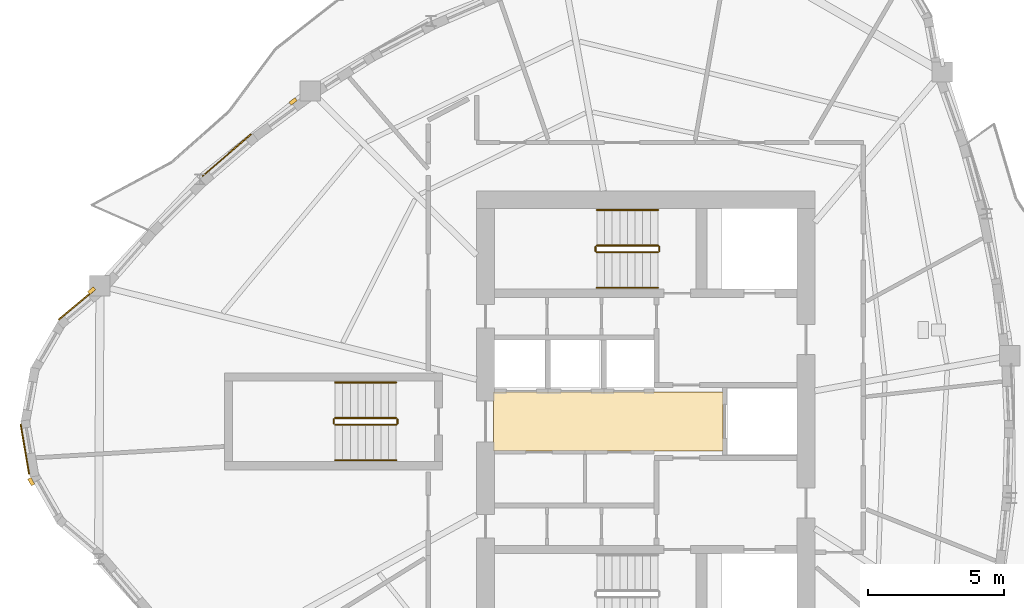
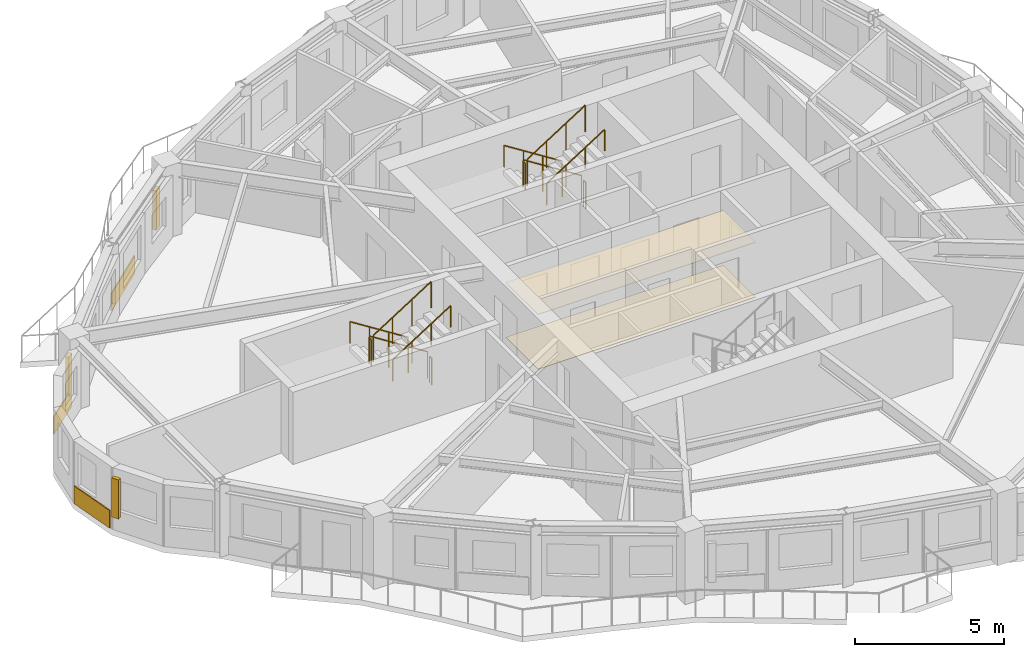
# One storey, part 10 of 12: 12 railings, 5 coverings, 3 shading devices.
"""IFC4 building model written with IfcOpenShell, lengths in metres."""

from ifc_helpers import new_model, si_unit, direction, frame, origin, origin_2d, place, context, subcontext, project, spatial, polyline, rectangle, circle, outline, extrude, source, transform, mapped, material, layer, layer_set, type_object, element, save


model = new_model("IFC4")

# Units and contexts
model_context = context("Model", 3, precision=1e-05, world=origin(), true_north=direction((0.0, 1.0)))
body_context = subcontext(model_context, "Body", "Model", "MODEL_VIEW")
ifc_project = project(units=[si_unit("LENGTHUNIT", "METRE"), si_unit("AREAUNIT", "SQUARE_METRE"), si_unit("VOLUMEUNIT", "CUBIC_METRE"), si_unit("PLANEANGLEUNIT", "RADIAN"), si_unit("MASSUNIT", "GRAM", prefix="KILO")], contexts=[model_context])

# Site, building, storey
site_placement = place(None, origin())
site = spatial("IfcSite", under=ifc_project, at=site_placement, CompositionType="ELEMENT")
building_placement = place(site_placement, origin())
building = spatial("IfcBuilding", under=site, at=building_placement, Name="Qafzar Sky-Pleat Residences", CompositionType="ELEMENT")
storey_placement = place(building_placement, frame((0.0, 0.0, 184.199951171875)))
storey = spatial("IfcBuildingStorey", under=building, at=storey_placement, Name="L55", CompositionType="ELEMENT", Elevation=184.199951171875)

# Coverings
ifc_material_1 = material(Name="Perforated acoustic gypsum board ceiling")
ifc_layer_1 = layer(ifc_material_1, 0.02001953125)
ifc_layer_set_1 = layer_set([ifc_layer_1], Name="Perforated acoustic gypsum board ceiling")
covering_type_1 = type_object("IfcCoveringType", Name="COV-CEIL-ACOUSTIC", PredefinedType="CEILING", material=ifc_layer_set_1)
covering_1_placement = place(storey_placement, frame((0.0, 0.0, 2.239990234375)))
element("IfcCovering", 1, at=covering_1_placement, inside=storey, type_object=covering_type_1, Name="L55 Passenger Lift Lobby Acoustic Ceiling", PredefinedType="CEILING", context=body_context, shape_type="SweptSolid", body=[
    extrude(outline(polyline([(33.179931640625, 24.919921875), (24.77001953125, 24.919921875), (24.77001953125, 27.080078125), (33.179931640625, 27.080078125), (33.179931640625, 24.919921875)])), origin(), (0.0, 0.0, 1.0), 0.02001953125),
])
ifc_material_2 = material(Name="Honed porcelain and Riyadh stone tile flooring", Category="masonry")
ifc_layer_2 = layer(ifc_material_2, 0.02001953125)
ifc_layer_set_2 = layer_set([ifc_layer_2], Name="Honed porcelain and Riyadh stone tile flooring")
covering_type_2 = type_object("IfcCoveringType", Name="COV-FLR-PORCELAIN", PredefinedType="FLOORING", material=ifc_layer_set_2)
covering_2_placement = place(storey_placement, origin())
element("IfcCovering", 2, at=covering_2_placement, inside=storey, type_object=covering_type_2, Name="L55 Passenger Lift Lobby Honed Stone Flooring", PredefinedType="FLOORING", context=body_context, shape_type="SweptSolid", body=[
    extrude(outline(polyline([(33.179931640625, 24.919921875), (24.77001953125, 24.919921875), (24.77001953125, 27.080078125), (33.179931640625, 27.080078125), (33.179931640625, 24.919921875)])), origin(), (0.0, 0.0, 1.0), 0.02001953125),
])

# Shading devices
ifc_material_3 = material(Name="Honed Riyadh limestone solar fin", Category="masonry")
ifc_layer_3 = layer(ifc_material_3, 0.139892578125)
ifc_layer_set_3 = layer_set([ifc_layer_3], Name="Honed Riyadh limestone solar fin")
shading_device_type = type_object("IfcShadingDeviceType", Name="SHD-FIN-STONE", PredefinedType="SHUTTER", material=ifc_layer_set_3)
shared_shape_1 = source(origin(), body_context, "Body", "SweptSolid", [
    extrude(rectangle(XDim=0.139892578125, YDim=0.280029296875, at=origin_2d()), origin(), (0.0, 0.0, 1.0), 1.60009765625),
])
for number, where, z_axis, x_axis, name in (
    (3, (10.03271484375, 30.7958984375, 0.60009765625), (0.0, 0.0, 1.0), (-0.642173926269, 0.766558966042, 0.0), "L55 Limestone Solar Fin 1"),
    (4, (7.816162109375, 23.791748046875, 0.60009765625), (0.0, 0.0, 1.0), (-0.869657559867, -0.493655475576, 0.0), "L55 Limestone Solar Fin 5"),
    (5, (17.419921875, 37.733154296875, 0.60009765625), (0.0, 0.0, 1.0), (-0.594869562562, 0.803822246232, 0.0), "L55 Limestone Solar Fin 45"),
):
    element("IfcShadingDevice", number, at=place(storey_placement, frame(where, z_axis=z_axis, x_axis=x_axis)), inside=storey, type_object=shading_device_type, Name=name, PredefinedType="SHUTTER", context=body_context, shape_type="MappedRepresentation", body=[
        mapped(shared_shape_1, transform((0.0, 0.0, 0.0), x_axis=(1.0, 0.0, 0.0), y_axis=(0.0, 1.0, 0.0), z_axis=(0.0, 0.0, 1.0), scale=1.0)),
    ])

# Coverings
ifc_material_4 = material(Name="Honed Riyadh Tuwaiq limestone cladding", Category="masonry")
ifc_layer_4 = layer(ifc_material_4, 0.044921875)
ifc_layer_set_4 = layer_set([ifc_layer_4], Name="Honed Riyadh Tuwaiq limestone cladding")
covering_type_3 = type_object("IfcCoveringType", Name="COV-CLAD-STONE", PredefinedType="CLADDING", material=ifc_layer_set_4)
shared_shape_2 = source(origin(), body_context, "Body", "SweptSolid", [
    extrude(rectangle(XDim=1.873046875, YDim=0.044921875, at=origin_2d()), origin(), (0.0, 0.0, 1.0), 0.719970703125),
])
covering_3_placement = place(storey_placement, frame((7.5849609375, 24.980224609375, 0.02001953125), z_axis=(0.0, 0.0, 1.0), x_axis=(0.168075544172, -0.985774117864, 0.0)))
element("IfcCovering", 6, at=covering_3_placement, inside=storey, type_object=covering_type_3, Name="L55 Riyadh Limestone Spandrel Cladding 4", PredefinedType="CLADDING", context=body_context, shape_type="MappedRepresentation", body=[
    mapped(shared_shape_2, transform((0.0, 0.0, 0.0), x_axis=(1.0, 0.0, 0.0), y_axis=(0.0, 1.0, 0.0), z_axis=(0.0, 0.0, 1.0), scale=1.0)),
])
shared_shape_3 = source(origin(), body_context, "Body", "SweptSolid", [
    extrude(rectangle(XDim=1.690185546875, YDim=0.044921875, at=origin_2d()), origin(), (0.0, 0.0, 1.0), 0.719970703125),
])
covering_4_placement = place(storey_placement, frame((9.477783203125, 30.27490234375, 0.02001953125), z_axis=(0.0, 0.0, 1.0), x_axis=(-0.766555899937, -0.642177586242, 0.0)))
element("IfcCovering", 7, at=covering_4_placement, inside=storey, type_object=covering_type_3, Name="L55 Riyadh Limestone Spandrel Cladding 1", PredefinedType="CLADDING", context=body_context, shape_type="MappedRepresentation", body=[
    mapped(shared_shape_3, transform((0.0, 0.0, 0.0), x_axis=(1.0, 0.0, 0.0), y_axis=(0.0, 1.0, 0.0), z_axis=(0.0, 0.0, 1.0), scale=1.0)),
])
shared_shape_4 = source(origin(), body_context, "Body", "SweptSolid", [
    extrude(rectangle(XDim=2.363525390625, YDim=0.044921875, at=origin_2d()), origin(), (0.0, 0.0, 1.0), 0.719970703125),
])
covering_5_placement = place(storey_placement, frame((14.992919921875, 35.765625, 0.02001953125), z_axis=(0.0, 0.0, 1.0), x_axis=(-0.757487878678, -0.652849227354, 0.0)))
element("IfcCovering", 8, at=covering_5_placement, inside=storey, type_object=covering_type_3, Name="L55 Riyadh Limestone Spandrel Cladding 46", PredefinedType="CLADDING", context=body_context, shape_type="MappedRepresentation", body=[
    mapped(shared_shape_4, transform((0.0, 0.0, 0.0), x_axis=(1.0, 0.0, 0.0), y_axis=(0.0, 1.0, 0.0), z_axis=(0.0, 0.0, 1.0), scale=1.0)),
])

# Railings
ifc_material_5 = material(Name="Painted Steel S355 stair guardrail", Category="steel")
railing_type_1 = type_object("IfcRailingType", Name="RAIL-STAIR-GUARD", PredefinedType="GUARDRAIL", material=ifc_material_5)
shared_shape_5 = source(origin(), body_context, "Body", "SweptSolid", [
    extrude(circle(Radius=0.02392578125, at=origin_2d()), frame((0.0, 0.0, 1.076171875), z_axis=(0.0, -1.0, 0.0), x_axis=(1.0, 0.0, 0.0)), (0.0, 0.0, 1.0), 0.14990234375),
    extrude(circle(Radius=0.02099609375, at=origin_2d()), origin(), (0.0, 0.0, 1.0), 1.052001953125),
    extrude(circle(Radius=0.02099609375, at=origin_2d()), frame((0.0, -0.14990234375, 0.0)), (0.0, 0.0, 1.0), 1.052001953125),
])
for number, where, name in (
    (9, (28.510009765625, 32.39990234375, 1.60009765625), "L55 ST2 stair guard 2"),
    (10, (30.85009765625, 32.39990234375, 0.0), "L55 ST2 stair guard 4"),
    (11, (18.909912109375, 26.074951171875, 1.60009765625), "L55 ST3 stair guard 2"),
    (12, (21.25, 26.074951171875, 0.0), "L55 ST3 stair guard 4"),
):
    element("IfcRailing", number, at=place(storey_placement, frame(where)), inside=storey, type_object=railing_type_1, Name=name, PredefinedType="GUARDRAIL", context=body_context, shape_type="MappedRepresentation", body=[
        mapped(shared_shape_5, transform((0.0, 0.0, 0.0), x_axis=(1.0, 0.0, 0.0), y_axis=(0.0, 1.0, 0.0), z_axis=(0.0, 0.0, 1.0), scale=1.0)),
    ])
shared_shape_6 = source(origin(), body_context, "Body", "SweptSolid", [
    extrude(circle(Radius=0.02392578125, at=origin_2d()), frame((0.0, 0.0, 1.076171875), z_axis=(0.8442293374, 0.0, 0.53598211339), x_axis=(0.0, 1.0, 0.0)), (0.0, 0.0, 1.0), 2.6533203125),
    extrude(circle(Radius=0.02099609375, at=origin_2d()), origin(), (0.0, 0.0, 1.0), 1.052001953125),
    extrude(circle(Radius=0.02099609375, at=origin_2d()), frame((0.74658203125, 0.0, 0.47412109375)), (0.0, 0.0, 1.0), 1.052001953125),
    extrude(circle(Radius=0.02099609375, at=origin_2d()), frame((1.493408203125, 0.0, 0.947998046875)), (0.0, 0.0, 1.0), 1.052001953125),
    extrude(circle(Radius=0.02099609375, at=origin_2d()), frame((2.239990234375, 0.0, 1.422119140625)), (0.0, 0.0, 1.0), 1.052001953125),
])
for number, where, name in (
    (13, (28.56005859375, 32.199951171875, 1.77783203125), "L55 ST2 stair guard 3"),
    (14, (18.9599609375, 25.875, 1.77783203125), "L55 ST3 stair guard 3"),
):
    element("IfcRailing", number, at=place(storey_placement, frame(where)), inside=storey, type_object=railing_type_1, Name=name, PredefinedType="GUARDRAIL", context=body_context, shape_type="MappedRepresentation", body=[
        mapped(shared_shape_6, transform((0.0, 0.0, 0.0), x_axis=(1.0, 0.0, 0.0), y_axis=(0.0, 1.0, 0.0), z_axis=(0.0, 0.0, 1.0), scale=1.0)),
    ])
ifc_material_6 = material(Name="Brushed stainless steel handrail", Category="steel")
railing_type_2 = type_object("IfcRailingType", Name="RAIL-STAIR-HAND", PredefinedType="HANDRAIL", material=ifc_material_6)
shared_shape_7 = source(origin(), body_context, "Body", "SweptSolid", [
    extrude(circle(Radius=0.02392578125, at=origin_2d()), frame((0.0, 0.0, 0.8759765625), z_axis=(0.8442293374, 0.0, 0.53598211339), x_axis=(0.0, 1.0, 0.0)), (0.0, 0.0, 1.0), 2.6533203125),
    extrude(circle(Radius=0.02099609375, at=origin_2d()), origin(), (0.0, 0.0, 1.0), 0.851806640625),
    extrude(circle(Radius=0.02099609375, at=origin_2d()), frame((0.74658203125, 0.0, 0.47412109375)), (0.0, 0.0, 1.0), 0.851806640625),
    extrude(circle(Radius=0.02099609375, at=origin_2d()), frame((1.493408203125, 0.0, 0.947998046875)), (0.0, 0.0, 1.0), 0.851806640625),
    extrude(circle(Radius=0.02099609375, at=origin_2d()), frame((2.239990234375, 0.0, 1.422119140625)), (0.0, 0.0, 1.0), 0.851806640625),
])
for number, where, name in (
    (15, (28.56005859375, 30.89990234375, 1.77783203125), "L55 ST2 stair handrail 2"),
    (16, (18.9599609375, 24.574951171875, 1.77783203125), "L55 ST3 stair handrail 2"),
):
    element("IfcRailing", number, at=place(storey_placement, frame(where)), inside=storey, type_object=railing_type_2, Name=name, PredefinedType="HANDRAIL", context=body_context, shape_type="MappedRepresentation", body=[
        mapped(shared_shape_7, transform((0.0, 0.0, 0.0), x_axis=(1.0, 0.0, 0.0), y_axis=(0.0, 1.0, 0.0), z_axis=(0.0, 0.0, 1.0), scale=1.0)),
    ])
shared_shape_8 = source(origin(), body_context, "Body", "SweptSolid", [
    extrude(circle(Radius=0.02392578125, at=origin_2d()), frame((0.0, 0.0, 1.076171875), z_axis=(-0.84418770128, 0.0, 0.536047689118), x_axis=(0.0, -1.0, 0.0)), (0.0, 0.0, 1.0), 2.6533203125),
    extrude(circle(Radius=0.02099609375, at=origin_2d()), origin(), (0.0, 0.0, 1.0), 1.052001953125),
    extrude(circle(Radius=0.02099609375, at=origin_2d()), frame((-0.74658203125, 0.0, 0.47412109375)), (0.0, 0.0, 1.0), 1.052001953125),
    extrude(circle(Radius=0.02099609375, at=origin_2d()), frame((-1.493408203125, 0.0, 0.9482421875)), (0.0, 0.0, 1.0), 1.052001953125),
    extrude(circle(Radius=0.02099609375, at=origin_2d()), frame((-2.239990234375, 0.0, 1.42236328125)), (0.0, 0.0, 1.0), 1.052001953125),
])
for number, where, name in (
    (17, (30.800048828125, 32.449951171875, 0.177734375), "L55 ST2 stair guard 1"),
    (18, (21.199951171875, 26.125, 0.177734375), "L55 ST3 stair guard 1"),
):
    element("IfcRailing", number, at=place(storey_placement, frame(where)), inside=storey, type_object=railing_type_1, Name=name, PredefinedType="GUARDRAIL", context=body_context, shape_type="MappedRepresentation", body=[
        mapped(shared_shape_8, transform((0.0, 0.0, 0.0), x_axis=(1.0, 0.0, 0.0), y_axis=(0.0, 1.0, 0.0), z_axis=(0.0, 0.0, 1.0), scale=1.0)),
    ])
shared_shape_9 = source(origin(), body_context, "Body", "SweptSolid", [
    extrude(circle(Radius=0.02392578125, at=origin_2d()), frame((0.0, 0.0, 0.8759765625), z_axis=(-0.84418770128, 0.0, 0.536047689118), x_axis=(0.0, -1.0, 0.0)), (0.0, 0.0, 1.0), 2.6533203125),
    extrude(circle(Radius=0.02099609375, at=origin_2d()), origin(), (0.0, 0.0, 1.0), 0.851806640625),
    extrude(circle(Radius=0.02099609375, at=origin_2d()), frame((-0.74658203125, 0.0, 0.47412109375)), (0.0, 0.0, 1.0), 0.851806640625),
    extrude(circle(Radius=0.02099609375, at=origin_2d()), frame((-1.493408203125, 0.0, 0.9482421875)), (0.0, 0.0, 1.0), 0.851806640625),
    extrude(circle(Radius=0.02099609375, at=origin_2d()), frame((-2.239990234375, 0.0, 1.42236328125)), (0.0, 0.0, 1.0), 0.851806640625),
])
for number, where, name in (
    (19, (30.800048828125, 33.75, 0.177734375), "L55 ST2 stair handrail 1"),
    (20, (21.199951171875, 27.425048828125, 0.177734375), "L55 ST3 stair handrail 1"),
):
    element("IfcRailing", number, at=place(storey_placement, frame(where)), inside=storey, type_object=railing_type_2, Name=name, PredefinedType="HANDRAIL", context=body_context, shape_type="MappedRepresentation", body=[
        mapped(shared_shape_9, transform((0.0, 0.0, 0.0), x_axis=(1.0, 0.0, 0.0), y_axis=(0.0, 1.0, 0.0), z_axis=(0.0, 0.0, 1.0), scale=1.0)),
    ])

save(model, "model.ifc")
